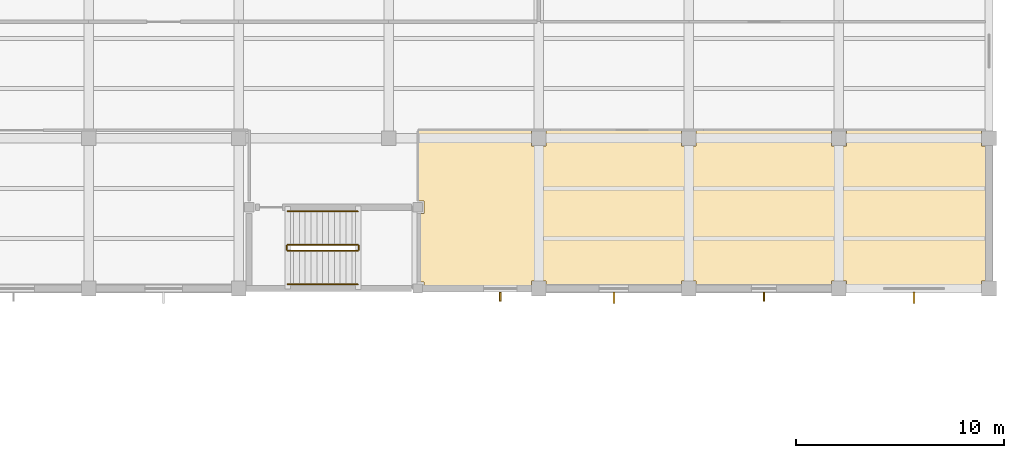
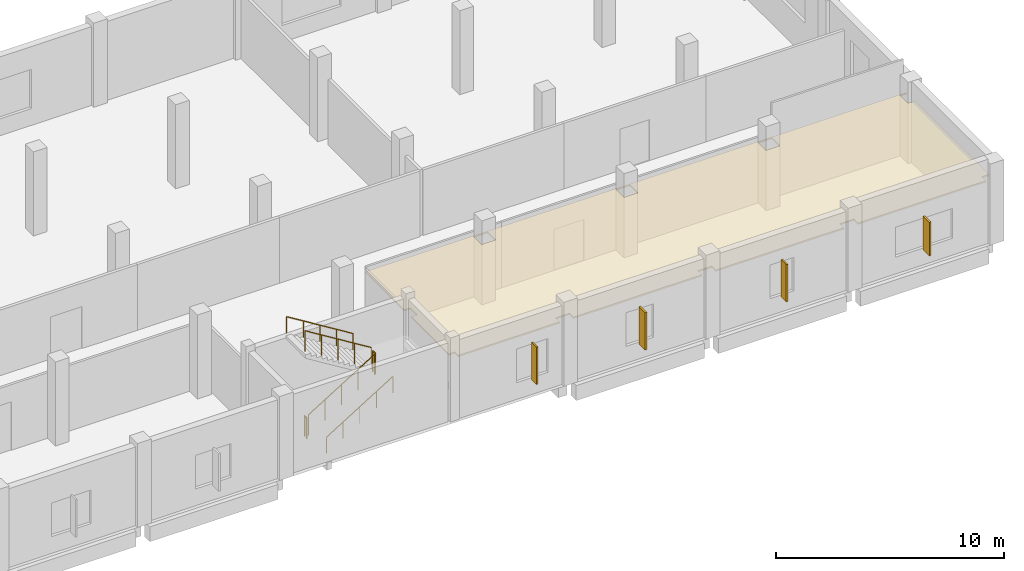
# One storey, part 107 of 108: 6 railings, 4 shading devices, 1 covering.
"""IFC4 building model written with IfcOpenShell, lengths in metres."""

from ifc_helpers import new_model, si_unit, direction, frame, origin, origin_2d, place, context, subcontext, project, spatial, polyline, rectangle, circle, outline, extrude, material, layer, layer_set, type_object, element, save


model = new_model("IFC4")

# Units and contexts
model_context = context("Model", 3, precision=1e-05, world=origin(), true_north=direction((0.0, 1.0)))
body_context = subcontext(model_context, "Body", "Model", "MODEL_VIEW")
ifc_project = project(units=[si_unit("LENGTHUNIT", "METRE"), si_unit("AREAUNIT", "SQUARE_METRE"), si_unit("VOLUMEUNIT", "CUBIC_METRE"), si_unit("PLANEANGLEUNIT", "RADIAN"), si_unit("MASSUNIT", "GRAM", prefix="KILO"), si_unit("THERMODYNAMICTEMPERATUREUNIT", "KELVIN"), si_unit("POWERUNIT", "WATT")], contexts=[model_context])

# Site, building, storey
site_placement = place(None, origin())
site = spatial("IfcSite", under=ifc_project, at=site_placement, CompositionType="ELEMENT")
building_placement = place(site_placement, origin())
building = spatial("IfcBuilding", under=site, at=building_placement, Name="Kaldorven Railside Theatre", CompositionType="ELEMENT")
storey_placement = place(building_placement, frame((0.0, 0.0, 5.39990234375)))
storey = spatial("IfcBuildingStorey", under=building, at=storey_placement, Name="L01", CompositionType="ELEMENT", Elevation=5.39990234375)

# Covering
ifc_material_1 = material(Name="Acoustic hardwood timber", Category="wood")
ifc_layer = layer(ifc_material_1, 0.080078125, Name="Acoustic hardwood timber")
ifc_layer_set = layer_set([ifc_layer], Name="Acoustic hardwood timber")
covering_type = type_object("IfcCoveringType", Name="COV-CLG-02", PredefinedType="CEILING", material=ifc_layer_set)
covering_placement = place(storey_placement, frame((0.0, 0.0, 3.170166015625)))
element("IfcCovering", 1, at=covering_placement, inside=storey, type_object=covering_type, Name="Costume Fitting Studio Acoustic Ceiling 015", PredefinedType="CEILING", context=body_context, shape_type="SweptSolid", body=[
    extrude(outline(polyline([(188.0, 113.152099609375), (187.64794921875, 113.152099609375), (187.64794921875, 112.800048828125), (181.152099609375, 112.800048828125), (181.152099609375, 113.152099609375), (180.447998046875, 113.152099609375), (180.447998046875, 112.800048828125), (173.951904296875, 112.800048828125), (173.951904296875, 113.152099609375), (173.248046875, 113.152099609375), (173.248046875, 112.800048828125), (166.751953125, 112.800048828125), (166.751953125, 113.152099609375), (166.048095703125, 113.152099609375), (166.048095703125, 112.800048828125), (160.902099609375, 112.800048828125), (160.902099609375, 113.10205078125), (160.60009765625, 113.10205078125), (160.60009765625, 116.39794921875), (160.902099609375, 116.39794921875), (160.902099609375, 117.001953125), (160.60009765625, 117.001953125), (160.60009765625, 120.39990234375), (188.0, 120.39990234375), (188.0, 120.35205078125), (187.64794921875, 120.35205078125), (187.64794921875, 119.64794921875), (188.0, 119.64794921875), (188.0, 113.152099609375)]), holes=[polyline([(181.152099609375, 120.35205078125), (180.447998046875, 120.35205078125), (180.447998046875, 119.64794921875), (181.152099609375, 119.64794921875), (181.152099609375, 120.35205078125)]), polyline([(173.951904296875, 120.35205078125), (173.248046875, 120.35205078125), (173.248046875, 119.64794921875), (173.951904296875, 119.64794921875), (173.951904296875, 120.35205078125)]), polyline([(166.751953125, 120.35205078125), (166.048095703125, 120.35205078125), (166.048095703125, 119.64794921875), (166.751953125, 119.64794921875), (166.751953125, 120.35205078125)])]), origin(), (0.0, 0.0, 1.0), 0.079833984375),
])

# Railings
ifc_material_2 = material(Name="Steel S355", Category="steel")
railing_type_1 = type_object("IfcRailingType", Name="RLG-STG-1100", PredefinedType="BALUSTRADE", material=ifc_material_2)
railing_1_placement = place(storey_placement, frame((154.35009765625, 114.60009765625, 0.173095703125)))
element("IfcRailing", 2, at=railing_1_placement, inside=storey, type_object=railing_type_1, Name="L01 ST-08 stair guard 1", PredefinedType="BALUSTRADE", context=body_context, shape_type="SweptSolid", body=[
    extrude(circle(Radius=0.02392578125, at=origin_2d()), frame((0.0, 0.0, 1.09619140625), z_axis=(0.850606129759, 0.0, 0.525803396734), x_axis=(0.0, 1.0, 0.0)), (0.0, 0.0, 1.0), 3.949951171875),
    extrude(circle(Radius=0.02099609375, at=origin_2d()), origin(), (0.0, 0.0, 1.0), 1.072021484375),
    extrude(circle(Radius=0.02099609375, at=origin_2d()), frame((0.83984375, 0.0, 0.519287109375)), (0.0, 0.0, 1.0), 1.072021484375),
    extrude(circle(Radius=0.02099609375, at=origin_2d()), frame((1.679931640625, 0.0, 1.03857421875)), (0.0, 0.0, 1.0), 1.072021484375),
    extrude(circle(Radius=0.02099609375, at=origin_2d()), frame((2.52001953125, 0.0, 1.5576171875)), (0.0, 0.0, 1.0), 1.072021484375),
    extrude(circle(Radius=0.02099609375, at=origin_2d()), frame((3.35986328125, 0.0, 2.076904296875)), (0.0, 0.0, 1.0), 1.072021484375),
])
railing_2_placement = place(storey_placement, frame((157.760009765625, 114.64990234375, 2.25)))
element("IfcRailing", 3, at=railing_2_placement, inside=storey, type_object=railing_type_1, Name="L01 ST-08 stair guard 2", PredefinedType="BALUSTRADE", context=body_context, shape_type="SweptSolid", body=[
    extrude(circle(Radius=0.02392578125, at=origin_2d()), frame((0.0, 0.0, 1.09619140625), z_axis=(0.0, 1.0, 0.0), x_axis=(-1.0, 0.0, 0.0)), (0.0, 0.0, 1.0), 0.2001953125),
    extrude(circle(Radius=0.02099609375, at=origin_2d()), origin(), (0.0, 0.0, 1.0), 1.072021484375),
    extrude(circle(Radius=0.02099609375, at=origin_2d()), frame((0.0, 0.2001953125, 0.0)), (0.0, 0.0, 1.0), 1.072021484375),
])
railing_3_placement = place(storey_placement, frame((157.7099609375, 114.89990234375, 2.423095703125)))
element("IfcRailing", 4, at=railing_3_placement, inside=storey, type_object=railing_type_1, Name="L01 ST-08 stair guard 3", PredefinedType="BALUSTRADE", context=body_context, shape_type="SweptSolid", body=[
    extrude(circle(Radius=0.02392578125, at=origin_2d()), frame((0.0, 0.0, 1.09619140625), z_axis=(-0.850606129759, 0.0, 0.525803396734), x_axis=(0.0, -1.0, 0.0)), (0.0, 0.0, 1.0), 3.949951171875),
    extrude(circle(Radius=0.02099609375, at=origin_2d()), origin(), (0.0, 0.0, 1.0), 1.072021484375),
    extrude(circle(Radius=0.02099609375, at=origin_2d()), frame((-0.83984375, 0.0, 0.519287109375)), (0.0, 0.0, 1.0), 1.072021484375),
    extrude(circle(Radius=0.02099609375, at=origin_2d()), frame((-1.679931640625, 0.0, 1.03857421875)), (0.0, 0.0, 1.0), 1.072021484375),
    extrude(circle(Radius=0.02099609375, at=origin_2d()), frame((-2.52001953125, 0.0, 1.5576171875)), (0.0, 0.0, 1.0), 1.072021484375),
    extrude(circle(Radius=0.02099609375, at=origin_2d()), frame((-3.35986328125, 0.0, 2.076904296875)), (0.0, 0.0, 1.0), 1.072021484375),
])
railing_4_placement = place(storey_placement, frame((154.300048828125, 114.64990234375, 0.0)))
element("IfcRailing", 5, at=railing_4_placement, inside=storey, type_object=railing_type_1, Name="L01 ST-08 stair guard 4", PredefinedType="BALUSTRADE", context=body_context, shape_type="SweptSolid", body=[
    extrude(circle(Radius=0.02392578125, at=origin_2d()), frame((0.0, 0.0, 1.09619140625), z_axis=(0.0, 1.0, 0.0), x_axis=(-1.0, 0.0, 0.0)), (0.0, 0.0, 1.0), 0.2001953125),
    extrude(circle(Radius=0.02099609375, at=origin_2d()), origin(), (0.0, 0.0, 1.0), 1.072021484375),
    extrude(circle(Radius=0.02099609375, at=origin_2d()), frame((0.0, 0.2001953125, 0.0)), (0.0, 0.0, 1.0), 1.072021484375),
])
railing_type_2 = type_object("IfcRailingType", Name="RLG-STH-900", PredefinedType="HANDRAIL", material=ifc_material_2)
railing_5_placement = place(storey_placement, frame((154.35009765625, 113.0, 0.173095703125)))
element("IfcRailing", 6, at=railing_5_placement, inside=storey, type_object=railing_type_2, Name="L01 ST-08 stair handrail 1", PredefinedType="HANDRAIL", context=body_context, shape_type="SweptSolid", body=[
    extrude(circle(Radius=0.02392578125, at=origin_2d()), frame((0.0, 0.0, 0.8759765625), z_axis=(0.850606129759, 0.0, 0.525803396734), x_axis=(0.0, 1.0, 0.0)), (0.0, 0.0, 1.0), 3.949951171875),
    extrude(circle(Radius=0.02099609375, at=origin_2d()), origin(), (0.0, 0.0, 1.0), 0.851806640625),
    extrude(circle(Radius=0.02099609375, at=origin_2d()), frame((0.83984375, 0.0, 0.519287109375)), (0.0, 0.0, 1.0), 0.851806640625),
    extrude(circle(Radius=0.02099609375, at=origin_2d()), frame((1.679931640625, 0.0, 1.03857421875)), (0.0, 0.0, 1.0), 0.851806640625),
    extrude(circle(Radius=0.02099609375, at=origin_2d()), frame((2.52001953125, 0.0, 1.5576171875)), (0.0, 0.0, 1.0), 0.851806640625),
    extrude(circle(Radius=0.02099609375, at=origin_2d()), frame((3.35986328125, 0.0, 2.076904296875)), (0.0, 0.0, 1.0), 0.851806640625),
])
railing_6_placement = place(storey_placement, frame((157.7099609375, 116.5, 2.423095703125)))
element("IfcRailing", 7, at=railing_6_placement, inside=storey, type_object=railing_type_2, Name="L01 ST-08 stair handrail 2", PredefinedType="HANDRAIL", context=body_context, shape_type="SweptSolid", body=[
    extrude(circle(Radius=0.02392578125, at=origin_2d()), frame((0.0, 0.0, 0.8759765625), z_axis=(-0.850606129759, 0.0, 0.525803396734), x_axis=(0.0, -1.0, 0.0)), (0.0, 0.0, 1.0), 3.949951171875),
    extrude(circle(Radius=0.02099609375, at=origin_2d()), origin(), (0.0, 0.0, 1.0), 0.851806640625),
    extrude(circle(Radius=0.02099609375, at=origin_2d()), frame((-0.83984375, 0.0, 0.519287109375)), (0.0, 0.0, 1.0), 0.851806640625),
    extrude(circle(Radius=0.02099609375, at=origin_2d()), frame((-1.679931640625, 0.0, 1.03857421875)), (0.0, 0.0, 1.0), 0.851806640625),
    extrude(circle(Radius=0.02099609375, at=origin_2d()), frame((-2.52001953125, 0.0, 1.5576171875)), (0.0, 0.0, 1.0), 0.851806640625),
    extrude(circle(Radius=0.02099609375, at=origin_2d()), frame((-3.35986328125, 0.0, 2.076904296875)), (0.0, 0.0, 1.0), 0.851806640625),
])

# Shading devices
ifc_material_3 = material(Name="Anodised bronze aluminium", Category="aluminium")
shading_device_type_1 = type_object("IfcShadingDeviceType", Name="SHD-FIN-01", PredefinedType="USERDEFINED", material=ifc_material_3)
for number, where, z_axis, x_axis, name in (
    (8, (177.199951171875, 112.404052734375, 0.800048828125), (0.0, 0.0, 1.0), (-1.0, 0.0, 0.0), "Anodised-Bronze Brise-Soleil Fin FIN-045"),
    (9, (164.550048828125, 112.404052734375, 0.800048828125), (0.0, 0.0, 1.0), (-1.0, 0.0, 0.0), "Anodised-Bronze Brise-Soleil Fin FIN-047"),
):
    element("IfcShadingDevice", number, at=place(storey_placement, frame(where, z_axis=z_axis, x_axis=x_axis)), inside=storey, type_object=shading_device_type_1, Name=name, ObjectType="SUNSHADE", PredefinedType="USERDEFINED", context=body_context, shape_type="SweptSolid", body=[
        extrude(rectangle(XDim=0.080078125, YDim=0.449951171875, at=origin_2d()), origin(), (0.0, 0.0, 1.0), 2.0),
    ])
shading_device_type_2 = type_object("IfcShadingDeviceType", Name="SHD-FIN-02", PredefinedType="USERDEFINED", material=ifc_material_3)
shading_device_1_placement = place(storey_placement, frame((184.39990234375, 112.35400390625, 0.80029296875), z_axis=(0.0, 0.0, 1.0), x_axis=(-1.0, 0.0, 0.0)))
element("IfcShadingDevice", 10, at=shading_device_1_placement, inside=storey, type_object=shading_device_type_2, Name="Anodised-Bronze Brise-Soleil Fin FIN-044", ObjectType="SUNSHADE", PredefinedType="USERDEFINED", context=body_context, shape_type="SweptSolid", body=[
    extrude(rectangle(XDim=0.10009765625, YDim=0.550048828125, at=origin_2d()), origin(), (0.0, 0.0, 1.0), 1.800048828125),
])
shading_device_2_placement = place(storey_placement, frame((170.0, 112.35400390625, 0.800048828125), z_axis=(0.0, 0.0, 1.0), x_axis=(-1.0, 0.0, 0.0)))
element("IfcShadingDevice", 11, at=shading_device_2_placement, inside=storey, type_object=shading_device_type_2, Name="Anodised-Bronze Brise-Soleil Fin FIN-046", ObjectType="SUNSHADE", PredefinedType="USERDEFINED", context=body_context, shape_type="SweptSolid", body=[
    extrude(rectangle(XDim=0.10009765625, YDim=0.550048828125, at=origin_2d()), origin(), (0.0, 0.0, 1.0), 2.0),
])

save(model, "model.ifc")
